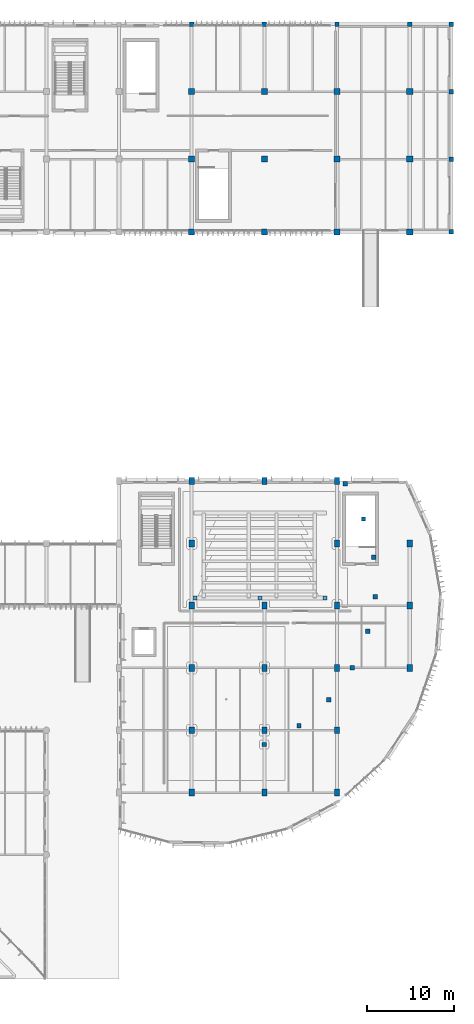
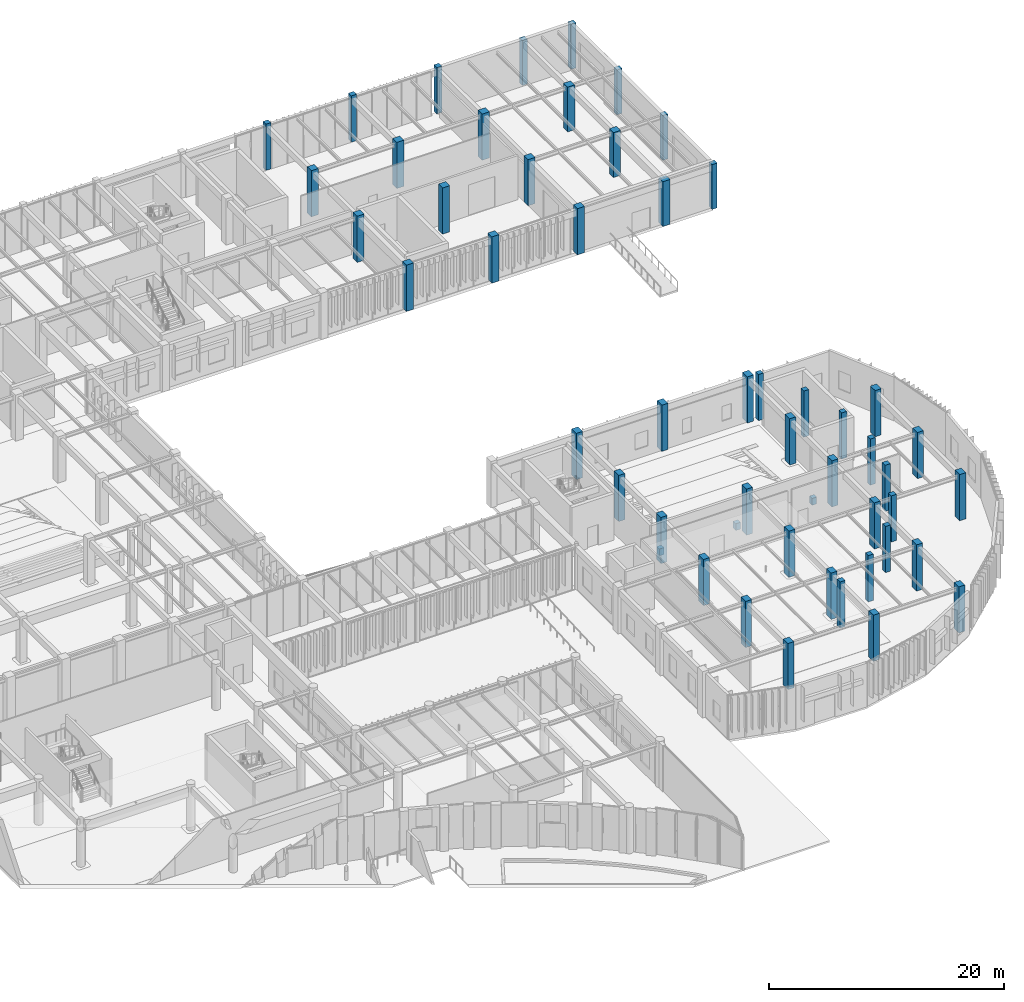
# One storey, part 9 of 122: 52 columns.
"""IFC4 building model written with IfcOpenShell, lengths in metres."""

from ifc_helpers import new_model, si_unit, direction, frame, origin, origin_2d, place, context, subcontext, project, spatial, rectangle, extrude, material, material_profile, profile_set, type_object, element, save


model = new_model("IFC4")

# Units and contexts
model_context = context("Model", 3, precision=1e-05, world=origin(), true_north=direction((0.0, 1.0)))
body_context = subcontext(model_context, "Body", "Model", "MODEL_VIEW")
ifc_project = project(units=[si_unit("LENGTHUNIT", "METRE"), si_unit("AREAUNIT", "SQUARE_METRE"), si_unit("VOLUMEUNIT", "CUBIC_METRE"), si_unit("PLANEANGLEUNIT", "RADIAN"), si_unit("MASSUNIT", "GRAM", prefix="KILO")], contexts=[model_context])

# Site, building, storey
site_placement = place(None, origin())
site = spatial("IfcSite", under=ifc_project, at=site_placement, CompositionType="ELEMENT")
building_placement = place(site_placement, origin())
building = spatial("IfcBuilding", under=site, at=building_placement, Name="Tazoul Stagehouse", CompositionType="ELEMENT")
storey_placement = place(building_placement, origin())
storey = spatial("IfcBuildingStorey", under=building, at=storey_placement, Name="L00", CompositionType="ELEMENT", Elevation=0.0)

# Columns
ifc_material = material(Name="Concrete C40/50", Category="concrete")
ifc_material_profile_1 = material_profile(ifc_material, rectangle(XDim=0.449951171875, YDim=0.449951171875, at=origin_2d()), Name="RC 450x450")
ifc_profile_set_1 = profile_set([ifc_material_profile_1], Name="Concrete C40/50")
column_type_1 = type_object("IfcColumnType", Name="RC Column 450x450", PredefinedType="COLUMN", material=ifc_profile_set_1)
for number, where, z_axis, x_axis, name in (
    (1, (134.199951171875, 45.5, 0.0), (0.0, 0.0, 1.0), (1.0, 0.0, 0.0), "L00 Bowl Support Column C-01 (V4-STUDIO-RER-1)"),
    (2, (141.699951171875, 45.5, 0.0), (0.0, 0.0, 1.0), (1.0, 0.0, 0.0), "L00 Bowl Support Column C-01 (V4-STUDIO-RER-2)"),
    (3, (149.199951171875, 45.5, 0.0), (0.0, 0.0, 1.0), (1.0, 0.0, 0.0), "L00 Bowl Support Column C-01 (V4-STUDIO-RER-3)"),
):
    element("IfcColumn", number, at=place(storey_placement, frame(where, z_axis=z_axis, x_axis=x_axis)), inside=storey, type_object=column_type_1, Name=name, PredefinedType="COLUMN", context=body_context, shape_type="SweptSolid", body=[
        extrude(rectangle(XDim=0.449951171875, YDim=0.449951171875, at=origin_2d()), origin(), (0.0, 0.0, 1.0), 0.699951171875),
    ])
ifc_material_profile_2 = material_profile(ifc_material, rectangle(XDim=0.5, YDim=0.5, at=origin_2d()), Name="RC 500x500")
ifc_profile_set_2 = profile_set([ifc_material_profile_2], Name="Concrete C40/50")
column_type_2 = type_object("IfcColumnType", Name="RC Column 500x500", PredefinedType="COLUMN", material=ifc_profile_set_2)
for number, where, z_axis, x_axis, name in (
    (4, (151.5283203125, 58.66943359375, 0.0), (0.0, 0.0, 1.0), (1.0, 0.0, 0.0), "L00 Studio Drum Perimeter Column C-02 (01)"),
    (5, (153.6494140625, 54.6162109375, 0.0), (0.0, 0.0, 1.0), (1.0, 0.0, 0.0), "L00 Studio Drum Perimeter Column C-02 (02)"),
    (6, (154.82373046875, 50.19482421875, 0.0), (0.0, 0.0, 1.0), (1.0, 0.0, 0.0), "L00 Studio Drum Perimeter Column C-02 (03)"),
    (7, (154.993408203125, 45.623291015625, 0.0), (0.0, 0.0, 1.0), (1.0, 0.0, 0.0), "L00 Studio Drum Perimeter Column C-02 (04)"),
    (8, (154.14990234375, 41.627197265625, 0.0), (0.0, 0.0, 1.0), (1.0, 0.0, 0.0), "L00 Studio Drum Perimeter Column C-02 (05)"),
    (9, (152.3349609375, 37.427978515625, 0.0), (0.0, 0.0, 1.0), (1.0, 0.0, 0.0), "L00 Studio Drum Perimeter Column C-02 (06)"),
    (10, (149.637939453125, 33.73291015625, 0.0), (0.0, 0.0, 1.0), (1.0, 0.0, 0.0), "L00 Studio Drum Perimeter Column C-02 (07)"),
    (11, (146.19189453125, 30.72412109375, 0.0), (0.0, 0.0, 1.0), (1.0, 0.0, 0.0), "L00 Studio Drum Perimeter Column C-02 (08)"),
    (12, (142.1669921875, 28.550048828125, 0.0), (0.0, 0.0, 1.0), (1.0, 0.0, 0.0), "L00 Studio Drum Perimeter Column C-02 (09)"),
):
    element("IfcColumn", number, at=place(storey_placement, frame(where, z_axis=z_axis, x_axis=x_axis)), inside=storey, type_object=column_type_2, Name=name, PredefinedType="COLUMN", context=body_context, shape_type="SweptSolid", body=[
        extrude(rectangle(XDim=0.5, YDim=0.5, at=origin_2d()), origin(), (0.0, 0.0, 1.0), 4.800048828125),
    ])
ifc_material_profile_3 = material_profile(ifc_material, rectangle(XDim=0.5, YDim=0.5, at=origin_2d()), Name="RC 500x500")
ifc_profile_set_3 = profile_set([ifc_material_profile_3], Name="Concrete C40/50")
column_type_3 = type_object("IfcColumnType", Name="RC Column 500x500 (Exterior)", PredefinedType="COLUMN", material=ifc_profile_set_3)
for number, where, z_axis, x_axis, name in (
    (13, (133.800048828125, 111.800048828125, 0.0), (0.0, 0.0, 1.0), (1.0, 0.0, 0.0), "L00 Column C-02E at 20/R"),
    (14, (142.199951171875, 111.800048828125, 0.0), (0.0, 0.0, 1.0), (1.0, 0.0, 0.0), "L00 Column C-02E at 21/R"),
    (15, (150.60009765625, 111.800048828125, 0.0), (0.0, 0.0, 1.0), (1.0, 0.0, 0.0), "L00 Column C-02E at 22/R"),
):
    element("IfcColumn", number, at=place(storey_placement, frame(where, z_axis=z_axis, x_axis=x_axis)), inside=storey, type_object=column_type_3, Name=name, PredefinedType="COLUMN", context=body_context, shape_type="SweptSolid", body=[
        extrude(rectangle(XDim=0.5, YDim=0.5, at=origin_2d()), origin(), (0.0, 0.0, 1.0), 4.800048828125),
    ])
for number, where, z_axis, x_axis, name in (
    (16, (159.0, 111.800048828125, 0.0), (0.0, 0.0, 1.0), (1.0, 0.0, 0.0), "L00 Column C-02E at 23/R"),
    (17, (163.800048828125, 87.800048828125, 0.0), (0.0, 0.0, 1.0), (1.0, 0.0, 0.0), "L00 Column C-02E at 24/N"),
    (18, (163.800048828125, 96.199951171875, 0.0), (0.0, 0.0, 1.0), (1.0, 0.0, 0.0), "L00 Column C-02E at 24/P"),
    (19, (163.800048828125, 104.0, 0.0), (0.0, 0.0, 1.0), (1.0, 0.0, 0.0), "L00 Column C-02E at 24/Q"),
    (20, (163.800048828125, 111.800048828125, 0.0), (0.0, 0.0, 1.0), (1.0, 0.0, 0.0), "L00 Column C-02E at 24/R"),
):
    element("IfcColumn", number, at=place(storey_placement, frame(where, z_axis=z_axis, x_axis=x_axis)), inside=storey, type_object=column_type_3, Name=name, PredefinedType="COLUMN", context=body_context, shape_type="SweptSolid", body=[
        extrude(rectangle(XDim=0.5, YDim=0.5, at=origin_2d()), origin(), (0.0, 0.0, 1.0), 4.659912109375),
    ])
ifc_material_profile_4 = material_profile(ifc_material, rectangle(XDim=0.60009765625, YDim=0.800048828125, at=origin_2d()), Name="RC 600x800")
ifc_profile_set_4 = profile_set([ifc_material_profile_4], Name="Concrete C40/50")
column_type_4 = type_object("IfcColumnType", Name="RC Column 600x800", PredefinedType="COLUMN", material=ifc_profile_set_4)
for number, where, z_axis, x_axis, name in (
    (21, (133.800048828125, 23.0, 0.0), (0.0, 0.0, 1.0), (1.0, 0.0, 0.0), "L00 Column C-06 at 20/D"),
    (22, (133.800048828125, 30.199951171875, 0.0), (0.0, 0.0, 1.0), (1.0, 0.0, 0.0), "L00 Column C-06 at 20/E"),
    (23, (133.800048828125, 37.39990234375, 0.0), (0.0, 0.0, 1.0), (1.0, 0.0, 0.0), "L00 Column C-06 at 20/F"),
    (24, (133.800048828125, 44.60009765625, 0.0), (0.0, 0.0, 1.0), (1.0, 0.0, 0.0), "L00 Column C-06 at 20/G"),
    (25, (133.800048828125, 51.800048828125, 0.0), (0.0, 0.0, 1.0), (1.0, 0.0, 0.0), "L00 Column C-06 at 20/H"),
    (26, (142.199951171875, 23.0, 0.0), (0.0, 0.0, 1.0), (1.0, 0.0, 0.0), "L00 Column C-06 at 21/D"),
    (27, (142.199951171875, 30.199951171875, 0.0), (0.0, 0.0, 1.0), (1.0, 0.0, 0.0), "L00 Column C-06 at 21/E"),
    (28, (142.199951171875, 37.39990234375, 0.0), (0.0, 0.0, 1.0), (1.0, 0.0, 0.0), "L00 Column C-06 at 21/F"),
    (29, (142.199951171875, 44.60009765625, 0.0), (0.0, 0.0, 1.0), (1.0, 0.0, 0.0), "L00 Column C-06 at 21/G"),
    (30, (150.60009765625, 23.0, 0.0), (0.0, 0.0, 1.0), (1.0, 0.0, 0.0), "L00 Column C-06 at 22/D"),
    (31, (150.60009765625, 30.199951171875, 0.0), (0.0, 0.0, 1.0), (1.0, 0.0, 0.0), "L00 Column C-06 at 22/E"),
    (32, (150.60009765625, 37.39990234375, 0.0), (0.0, 0.0, 1.0), (1.0, 0.0, 0.0), "L00 Column C-06 at 22/F"),
    (33, (150.60009765625, 44.60009765625, 0.0), (0.0, 0.0, 1.0), (1.0, 0.0, 0.0), "L00 Column C-06 at 22/G"),
    (34, (150.60009765625, 51.800048828125, 0.0), (0.0, 0.0, 1.0), (1.0, 0.0, 0.0), "L00 Column C-06 at 22/H"),
    (35, (159.0, 37.39990234375, 0.0), (0.0, 0.0, 1.0), (1.0, 0.0, 0.0), "L00 Column C-06 at 23/F"),
    (36, (159.0, 44.60009765625, 0.0), (0.0, 0.0, 1.0), (1.0, 0.0, 0.0), "L00 Column C-06 at 23/G"),
    (37, (159.0, 51.800048828125, 0.0), (0.0, 0.0, 1.0), (1.0, 0.0, 0.0), "L00 Column C-06 at 23/H"),
):
    element("IfcColumn", number, at=place(storey_placement, frame(where, z_axis=z_axis, x_axis=x_axis)), inside=storey, type_object=column_type_4, Name=name, PredefinedType="COLUMN", context=body_context, shape_type="SweptSolid", body=[
        extrude(rectangle(XDim=0.60009765625, YDim=0.800048828125, at=origin_2d()), origin(), (0.0, 0.0, 1.0), 4.800048828125),
    ])
ifc_material_profile_5 = material_profile(ifc_material, rectangle(XDim=0.60009765625, YDim=0.800048828125, at=origin_2d()), Name="RC 600x800")
ifc_profile_set_5 = profile_set([ifc_material_profile_5], Name="Concrete C40/50")
column_type_5 = type_object("IfcColumnType", Name="RC Column 600x800 (Exterior)", PredefinedType="COLUMN", material=ifc_profile_set_5)
for number, where, z_axis, x_axis, name in (
    (38, (133.800048828125, 59.0, 0.0), (0.0, 0.0, 1.0), (1.0, 0.0, 0.0), "L00 Column C-06E at 20/J"),
    (39, (142.199951171875, 59.0, 0.0), (0.0, 0.0, 1.0), (1.0, 0.0, 0.0), "L00 Column C-06E at 21/J"),
    (40, (150.60009765625, 59.0, 0.0), (0.0, 0.0, 1.0), (1.0, 0.0, 0.0), "L00 Column C-06E at 22/J"),
):
    element("IfcColumn", number, at=place(storey_placement, frame(where, z_axis=z_axis, x_axis=x_axis)), inside=storey, type_object=column_type_5, Name=name, PredefinedType="COLUMN", context=body_context, shape_type="SweptSolid", body=[
        extrude(rectangle(XDim=0.60009765625, YDim=0.800048828125, at=origin_2d()), origin(), (0.0, 0.0, 1.0), 4.800048828125),
    ])
ifc_material_profile_6 = material_profile(ifc_material, rectangle(XDim=0.699951171875, YDim=0.699951171875, at=origin_2d()), Name="RC 700x700")
ifc_profile_set_6 = profile_set([ifc_material_profile_6], Name="Concrete C40/50")
column_type_6 = type_object("IfcColumnType", Name="RC Column 700x700", PredefinedType="COLUMN", material=ifc_profile_set_6)
for number, where, z_axis, x_axis, name in (
    (41, (133.800048828125, 96.199951171875, 0.0), (0.0, 0.0, 1.0), (1.0, 0.0, 0.0), "L00 Column C-04 at 20/P"),
    (42, (133.800048828125, 104.0, 0.0), (0.0, 0.0, 1.0), (1.0, 0.0, 0.0), "L00 Column C-04 at 20/Q"),
    (43, (142.199951171875, 96.199951171875, 0.0), (0.0, 0.0, 1.0), (1.0, 0.0, 0.0), "L00 Column C-04 at 21/P"),
    (44, (142.199951171875, 104.0, 0.0), (0.0, 0.0, 1.0), (1.0, 0.0, 0.0), "L00 Column C-04 at 21/Q"),
    (45, (150.60009765625, 96.199951171875, 0.0), (0.0, 0.0, 1.0), (1.0, 0.0, 0.0), "L00 Column C-04 at 22/P"),
    (46, (150.60009765625, 104.0, 0.0), (0.0, 0.0, 1.0), (1.0, 0.0, 0.0), "L00 Column C-04 at 22/Q"),
):
    element("IfcColumn", number, at=place(storey_placement, frame(where, z_axis=z_axis, x_axis=x_axis)), inside=storey, type_object=column_type_6, Name=name, PredefinedType="COLUMN", context=body_context, shape_type="SweptSolid", body=[
        extrude(rectangle(XDim=0.699951171875, YDim=0.699951171875, at=origin_2d()), origin(), (0.0, 0.0, 1.0), 4.800048828125),
    ])
for number, where, z_axis, x_axis, name in (
    (47, (159.0, 96.199951171875, 0.0), (0.0, 0.0, 1.0), (1.0, 0.0, 0.0), "L00 Column C-04 at 23/P"),
    (48, (159.0, 104.0, 0.0), (0.0, 0.0, 1.0), (1.0, 0.0, 0.0), "L00 Column C-04 at 23/Q"),
):
    element("IfcColumn", number, at=place(storey_placement, frame(where, z_axis=z_axis, x_axis=x_axis)), inside=storey, type_object=column_type_6, Name=name, PredefinedType="COLUMN", context=body_context, shape_type="SweptSolid", body=[
        extrude(rectangle(XDim=0.699951171875, YDim=0.699951171875, at=origin_2d()), origin(), (0.0, 0.0, 1.0), 4.659912109375),
    ])
ifc_material_profile_7 = material_profile(ifc_material, rectangle(XDim=0.699951171875, YDim=0.699951171875, at=origin_2d()), Name="RC 700x700")
ifc_profile_set_7 = profile_set([ifc_material_profile_7], Name="Concrete C40/50")
column_type_7 = type_object("IfcColumnType", Name="RC Column 700x700 (Exterior)", PredefinedType="COLUMN", material=ifc_profile_set_7)
for number, where, z_axis, x_axis, name in (
    (49, (133.800048828125, 87.800048828125, 0.0), (0.0, 0.0, 1.0), (1.0, 0.0, 0.0), "L00 Column C-04E at 20/N"),
    (50, (142.199951171875, 87.800048828125, 0.0), (0.0, 0.0, 1.0), (1.0, 0.0, 0.0), "L00 Column C-04E at 21/N"),
    (51, (150.60009765625, 87.800048828125, 0.0), (0.0, 0.0, 1.0), (1.0, 0.0, 0.0), "L00 Column C-04E at 22/N"),
):
    element("IfcColumn", number, at=place(storey_placement, frame(where, z_axis=z_axis, x_axis=x_axis)), inside=storey, type_object=column_type_7, Name=name, PredefinedType="COLUMN", context=body_context, shape_type="SweptSolid", body=[
        extrude(rectangle(XDim=0.699951171875, YDim=0.699951171875, at=origin_2d()), origin(), (0.0, 0.0, 1.0), 4.800048828125),
    ])
column_placement = place(storey_placement, frame((159.0, 87.800048828125, 0.0), z_axis=(0.0, 0.0, 1.0), x_axis=(1.0, 0.0, 0.0)))
element("IfcColumn", 52, at=column_placement, inside=storey, type_object=column_type_7, Name="L00 Column C-04E at 23/N", PredefinedType="COLUMN", context=body_context, shape_type="SweptSolid", body=[
    extrude(rectangle(XDim=0.699951171875, YDim=0.699951171875, at=origin_2d()), origin(), (0.0, 0.0, 1.0), 4.659912109375),
])

save(model, "model.ifc")
